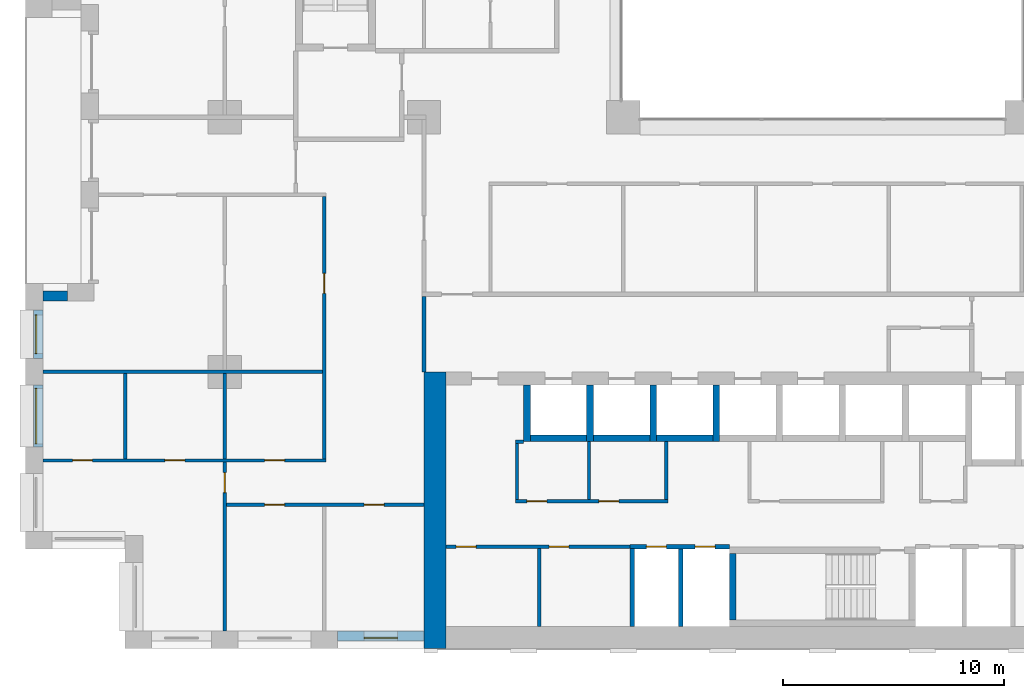
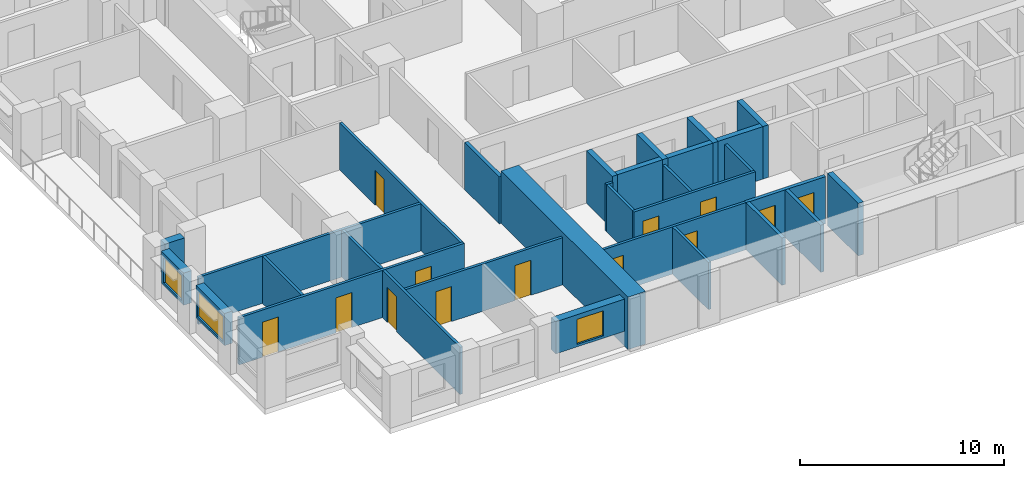
# One storey, part 9 of 19: 31 walls, 13 doors, 3 windows, 16 openings.
"""IFC4 building model written with IfcOpenShell, lengths in metres."""

from ifc_helpers import new_model, si_unit, direction, frame, frame_2d, origin, place, context, subcontext, project, spatial, rectangle, extrude, material, layer, layer_set, type_object, element, fill, save


model = new_model("IFC4")

# Units and contexts
model_context = context("Model", 3, precision=1e-05, world=origin(), true_north=direction((0.0, 1.0)))
body_context = subcontext(model_context, "Body", "Model", "MODEL_VIEW")
ifc_project = project(units=[si_unit("LENGTHUNIT", "METRE"), si_unit("AREAUNIT", "SQUARE_METRE"), si_unit("VOLUMEUNIT", "CUBIC_METRE"), si_unit("PLANEANGLEUNIT", "RADIAN"), si_unit("MASSUNIT", "GRAM", prefix="KILO")], contexts=[model_context])

# Site, building, storey
site_placement = place(None, origin())
site = spatial("IfcSite", under=ifc_project, at=site_placement, CompositionType="ELEMENT")
building_placement = place(site_placement, origin())
building = spatial("IfcBuilding", under=site, at=building_placement, Name="Brigalow Station Residences", CompositionType="ELEMENT")
storey_placement = place(building_placement, frame((0.0, 0.0, 22.64990234375)))
storey = spatial("IfcBuildingStorey", under=building, at=storey_placement, Name="L05", CompositionType="ELEMENT", Elevation=22.64990234375)

# Wall, opening, window
ifc_material_1 = material(Name="Clay brick masonry", Category="masonry")
ifc_layer_1 = layer(ifc_material_1, 0.449951171875)
ifc_layer_set_1 = layer_set([ifc_layer_1], Name="BRICK INFILL WALL 450")
wall_type_1 = type_object("IfcWallType", Name="BRICK INFILL WALL 450", PredefinedType="SOLIDWALL", material=ifc_layer_set_1)
wall_1_placement = place(storey_placement, frame((14.10009765625, 0.574951171875, 0.900146484375), z_axis=(0.0, 0.0, 1.0), x_axis=(1.0, 0.0, 0.0)))
wall_1 = element("IfcWall", 1, at=wall_1_placement, inside=storey, type_object=wall_type_1, Name="L05/ewall/W-L05-3", PredefinedType="SOLIDWALL", context=body_context, shape_type="SweptSolid", body=[
    extrude(rectangle(XDim=3.89990234375, YDim=0.449951171875, at=frame_2d((1.949951171875, 0.0))), origin(), (0.0, 0.0, 1.0), 1.929931640625),
])
opening_1_placement = place(wall_1_placement, frame((1.199951171875, 0.0, 0.14990234375)))
opening_1 = element("IfcOpeningElement", 2, at=opening_1_placement, cuts=wall_1, Name="Opening WT-1", PredefinedType="OPENING", context=body_context, shape_type="SweptSolid", body=[
    extrude(rectangle(XDim=1.5, YDim=1.5, at=frame_2d((0.75, 0.75))), frame((0.0, 0.23486328125, 0.0), z_axis=(0.0, -1.0, 0.0), x_axis=(1.0, 0.0, 0.0)), (0.0, 0.0, 1.0), 0.469970703125),
])
ifc_material_2 = material(Name="Anodised aluminium frame with double glazing", Category="aluminium")
window_type_1 = type_object("IfcWindowType", Name="WINDOW 1500x1500", PartitioningType="SINGLE_PANEL", PredefinedType="WINDOW", material=ifc_material_2)
window_1_placement = place(opening_1_placement, origin())
window_1 = element("IfcWindow", 3, at=window_1_placement, inside=storey, type_object=window_type_1, Name="L05/window/W-L05-3", OverallHeight=1.5, OverallWidth=1.5, PartitioningType="SINGLE_PANEL", PredefinedType="WINDOW", context=body_context, shape_type="SweptSolid", body=[
    extrude(rectangle(XDim=1.5, YDim=1.5, at=frame_2d((0.75, 0.75))), frame((0.0, -0.06494140625, 0.0), z_axis=(0.0, -1.0, 0.0), x_axis=(1.0, 0.0, 0.0)), (0.0, 0.0, 1.0), 0.06005859375),
])
fill(opening_1, window_1)

# Wall
wall_2_placement = place(storey_placement, frame((1.89990234375, 15.925048828125, 0.900146484375), z_axis=(0.0, 0.0, 1.0), x_axis=(-1.0, 0.0, 0.0)))
element("IfcWall", 4, at=wall_2_placement, inside=storey, type_object=wall_type_1, Name="L05/ewall/W-L05-50", PredefinedType="SOLIDWALL", context=body_context, shape_type="SweptSolid", body=[
    extrude(rectangle(XDim=1.099853515625, YDim=0.449951171875, at=frame_2d((0.5498046875, 0.0))), origin(), (0.0, 0.0, 1.0), 1.929931640625),
])

# Wall, opening, window
wall_3_placement = place(storey_placement, frame((0.574951171875, 15.300048828125, 0.900146484375), z_axis=(0.0, 0.0, 1.0), x_axis=(0.0, -1.0, 0.0)))
wall_3 = element("IfcWall", 5, at=wall_3_placement, inside=storey, type_object=wall_type_1, Name="L05/ewall/W-L05-51", PredefinedType="SOLIDWALL", context=body_context, shape_type="SweptSolid", body=[
    extrude(rectangle(XDim=2.199951171875, YDim=0.449951171875, at=frame_2d((1.10009765625, 0.0))), origin(), (0.0, 0.0, 1.0), 1.929931640625),
])
opening_2_placement = place(wall_3_placement, frame((0.22509765625, 0.0, 0.14990234375)))
opening_2 = element("IfcOpeningElement", 6, at=opening_2_placement, cuts=wall_3, Name="Opening WT-4", PredefinedType="OPENING", context=body_context, shape_type="SweptSolid", body=[
    extrude(rectangle(XDim=1.75, YDim=1.5, at=frame_2d((0.875, 0.75))), frame((0.0, 0.23486328125, 0.0), z_axis=(0.0, -1.0, 0.0), x_axis=(1.0, 0.0, 0.0)), (0.0, 0.0, 1.0), 0.469970703125),
])
ifc_material_3 = material(Name="Anodised aluminium frame with double glazing", Category="aluminium")
window_type_2 = type_object("IfcWindowType", Name="WINDOW 1750x1500", PartitioningType="SINGLE_PANEL", PredefinedType="WINDOW", material=ifc_material_3)
window_2_placement = place(opening_2_placement, origin())
window_2 = element("IfcWindow", 7, at=window_2_placement, inside=storey, type_object=window_type_2, Name="L05/window/W-L05-51", OverallHeight=1.5, OverallWidth=1.75, PartitioningType="SINGLE_PANEL", PredefinedType="WINDOW", context=body_context, shape_type="SweptSolid", body=[
    extrude(rectangle(XDim=1.75, YDim=1.5, at=frame_2d((0.875, 0.75))), frame((0.0, -0.06494140625, 0.0), z_axis=(0.0, -1.0, 0.0), x_axis=(1.0, 0.0, 0.0)), (0.0, 0.0, 1.0), 0.06005859375),
])
fill(opening_2, window_2)

wall_4_placement = place(storey_placement, frame((0.574951171875, 11.89990234375, 0.900146484375), z_axis=(0.0, 0.0, 1.0), x_axis=(0.0, -1.0, 0.0)))
wall_4 = element("IfcWall", 8, at=wall_4_placement, inside=storey, type_object=wall_type_1, Name="L05/ewall/W-L05-52", PredefinedType="SOLIDWALL", context=body_context, shape_type="SweptSolid", body=[
    extrude(rectangle(XDim=2.7998046875, YDim=0.449951171875, at=frame_2d((1.39990234375, 0.0))), origin(), (0.0, 0.0, 1.0), 1.929931640625),
])
opening_3_placement = place(wall_4_placement, frame((0.14990234375, 0.0, 0.14990234375)))
opening_3 = element("IfcOpeningElement", 9, at=opening_3_placement, cuts=wall_4, Name="Opening WT-5", PredefinedType="OPENING", context=body_context, shape_type="SweptSolid", body=[
    extrude(rectangle(XDim=2.5, YDim=1.5, at=frame_2d((1.25, 0.75))), frame((0.0, 0.23486328125, 0.0), z_axis=(0.0, -1.0, 0.0), x_axis=(1.0, 0.0, 0.0)), (0.0, 0.0, 1.0), 0.469970703125),
])
ifc_material_4 = material(Name="Anodised aluminium frame with double glazing", Category="aluminium")
window_type_3 = type_object("IfcWindowType", Name="WINDOW 2500x1500", PartitioningType="SINGLE_PANEL", PredefinedType="WINDOW", material=ifc_material_4)
window_3_placement = place(opening_3_placement, origin())
window_3 = element("IfcWindow", 10, at=window_3_placement, inside=storey, type_object=window_type_3, Name="L05/window/W-L05-52", OverallHeight=1.5, OverallWidth=2.5, PartitioningType="SINGLE_PANEL", PredefinedType="WINDOW", context=body_context, shape_type="SweptSolid", body=[
    extrude(rectangle(XDim=2.5, YDim=1.5, at=frame_2d((1.25, 0.75))), frame((0.0, -0.06494140625, 0.0), z_axis=(0.0, -1.0, 0.0), x_axis=(1.0, 0.0, 0.0)), (0.0, 0.0, 1.0), 0.06005859375),
])
fill(opening_3, window_3)

# Walls
ifc_material_5 = material(Name="Concrete C80", Category="concrete")
ifc_layer_2 = layer(ifc_material_5, 1.0)
ifc_layer_set_2 = layer_set([ifc_layer_2], Name="CORE SHEAR WALL 1000 C80")
wall_type_2 = type_object("IfcWallType", Name="CORE SHEAR WALL 1000 C80", PredefinedType="SHEAR", material=ifc_layer_set_2)
wall_5_placement = place(storey_placement, frame((18.5, 0.0, 0.0), z_axis=(0.0, 0.0, 1.0), x_axis=(0.0, 1.0, 0.0)))
element("IfcWall", 11, at=wall_5_placement, inside=storey, type_object=wall_type_2, Name="CORE WALL OUT-W L05", PredefinedType="SHEAR", context=body_context, shape_type="SweptSolid", body=[
    extrude(rectangle(XDim=12.5, YDim=1.0, at=frame_2d((6.25, 0.0))), origin(), (0.0, 0.0, 1.0), 3.150146484375),
])
ifc_material_6 = material(Name="Concrete C80", Category="concrete")
ifc_layer_3 = layer(ifc_material_6, 0.300048828125)
ifc_layer_set_3 = layer_set([ifc_layer_3], Name="CORE SHEAR WALL 300 C80")
wall_type_3 = type_object("IfcWallType", Name="CORE SHEAR WALL 300 C80", PredefinedType="SHEAR", material=ifc_layer_set_3)
wall_6_placement = place(storey_placement, frame((22.800048828125, 9.5, 0.0), z_axis=(0.0, 0.0, 1.0), x_axis=(1.0, 0.0, 0.0)))
element("IfcWall", 12, at=wall_6_placement, inside=storey, type_object=wall_type_3, Name="CORE WALL SH-P1-S L05", PredefinedType="SHEAR", context=body_context, shape_type="SweptSolid", body=[
    extrude(rectangle(XDim=2.550048828125, YDim=0.300048828125, at=frame_2d((1.27490234375, 0.0))), origin(), (0.0, 0.0, 1.0), 3.150146484375),
])
wall_7_placement = place(storey_placement, frame((22.64990234375, 9.35009765625, 0.0), z_axis=(0.0, 0.0, 1.0), x_axis=(0.0, 1.0, 0.0)))
element("IfcWall", 13, at=wall_7_placement, inside=storey, type_object=wall_type_3, Name="CORE WALL SH-P1-W L05", PredefinedType="SHEAR", context=body_context, shape_type="SweptSolid", body=[
    extrude(rectangle(XDim=2.5498046875, YDim=0.300048828125, at=frame_2d((1.27490234375, 0.0))), origin(), (0.0, 0.0, 1.0), 3.150146484375),
])
wall_8_placement = place(storey_placement, frame((25.64990234375, 9.5, 0.0), z_axis=(0.0, 0.0, 1.0), x_axis=(1.0, 0.0, 0.0)))
element("IfcWall", 14, at=wall_8_placement, inside=storey, type_object=wall_type_3, Name="CORE WALL SH-P2-S L05", PredefinedType="SHEAR", context=body_context, shape_type="SweptSolid", body=[
    extrude(rectangle(XDim=2.550048828125, YDim=0.300048828125, at=frame_2d((1.27490234375, 0.0))), origin(), (0.0, 0.0, 1.0), 3.150146484375),
])
wall_9_placement = place(storey_placement, frame((25.5, 9.35009765625, 0.0), z_axis=(0.0, 0.0, 1.0), x_axis=(0.0, 1.0, 0.0)))
element("IfcWall", 15, at=wall_9_placement, inside=storey, type_object=wall_type_3, Name="CORE WALL SH-P2-W L05", PredefinedType="SHEAR", context=body_context, shape_type="SweptSolid", body=[
    extrude(rectangle(XDim=2.5498046875, YDim=0.300048828125, at=frame_2d((1.27490234375, 0.0))), origin(), (0.0, 0.0, 1.0), 3.150146484375),
])
wall_10_placement = place(storey_placement, frame((28.5, 9.5, 0.0), z_axis=(0.0, 0.0, 1.0), x_axis=(1.0, 0.0, 0.0)))
element("IfcWall", 16, at=wall_10_placement, inside=storey, type_object=wall_type_3, Name="CORE WALL SH-P3-S L05", PredefinedType="SHEAR", context=body_context, shape_type="SweptSolid", body=[
    extrude(rectangle(XDim=2.550048828125, YDim=0.300048828125, at=frame_2d((1.27490234375, 0.0))), origin(), (0.0, 0.0, 1.0), 3.150146484375),
])
for number, where, z_axis, x_axis, name in (
    (17, (28.35009765625, 9.35009765625, 0.0), (0.0, 0.0, 1.0), (0.0, 1.0, 0.0), "CORE WALL SH-P3-W L05"),
    (18, (31.199951171875, 9.35009765625, 0.0), (0.0, 0.0, 1.0), (0.0, 1.0, 0.0), "CORE WALL SH-P4-W L05"),
):
    element("IfcWall", number, at=place(storey_placement, frame(where, z_axis=z_axis, x_axis=x_axis)), inside=storey, type_object=wall_type_3, Name=name, PredefinedType="SHEAR", context=body_context, shape_type="SweptSolid", body=[
        extrude(rectangle(XDim=2.5498046875, YDim=0.300048828125, at=frame_2d((1.27490234375, 0.0))), origin(), (0.0, 0.0, 1.0), 3.150146484375),
    ])
wall_11_placement = place(storey_placement, frame((31.949951171875, 1.300048828125, 0.0), z_axis=(0.0, 0.0, 1.0), x_axis=(0.0, 1.0, 0.0)))
element("IfcWall", 19, at=wall_11_placement, inside=storey, type_object=wall_type_3, Name="CORE WALL ST-S2-W L05", PredefinedType="SHEAR", context=body_context, shape_type="SweptSolid", body=[
    extrude(rectangle(XDim=3.0, YDim=0.300048828125, at=frame_2d((1.5, 0.0))), origin(), (0.0, 0.0, 1.0), 3.150146484375),
])

# Wall, openings, doors
ifc_material_7 = material(Name="Concrete blockwork", Category="masonry")
ifc_layer_4 = layer(ifc_material_7, 0.199951171875)
ifc_layer_set_4 = layer_set([ifc_layer_4], Name="FIRE RATED CORE PARTITION 200")
wall_type_4 = type_object("IfcWallType", Name="FIRE RATED CORE PARTITION 200", PredefinedType="PARTITIONING", material=ifc_layer_set_4)
wall_12_placement = place(storey_placement, frame((27.300048828125, 4.60009765625, 0.0), z_axis=(0.0, 0.0, 1.0), x_axis=(1.0, 0.0, 0.0)))
wall_12 = element("IfcWall", 20, at=wall_12_placement, inside=storey, type_object=wall_type_4, Name="PW-5017", PredefinedType="PARTITIONING", context=body_context, shape_type="SweptSolid", body=[
    extrude(rectangle(XDim=4.5, YDim=0.199951171875, at=frame_2d((2.25, 0.0))), origin(), (0.0, 0.0, 1.0), 2.830078125),
])
opening_4_placement = place(wall_12_placement, frame((0.75, 0.0, 0.0)))
opening_4 = element("IfcOpeningElement", 21, at=opening_4_placement, cuts=wall_12, Name="Opening D-5007", PredefinedType="OPENING", context=body_context, shape_type="SweptSolid", body=[
    extrude(rectangle(XDim=0.89990234375, YDim=2.10009765625, at=frame_2d((0.449951171875, 1.050048828125))), frame((0.0, 0.10986328125, 0.0), z_axis=(0.0, -1.0, 0.0), x_axis=(1.0, 0.0, 0.0)), (0.0, 0.0, 1.0), 0.219970703125),
])
opening_5_placement = place(wall_12_placement, frame((2.949951171875, 0.0, 0.0)))
opening_5 = element("IfcOpeningElement", 22, at=opening_5_placement, cuts=wall_12, Name="Opening D-5008", PredefinedType="OPENING", context=body_context, shape_type="SweptSolid", body=[
    extrude(rectangle(XDim=0.89990234375, YDim=2.10009765625, at=frame_2d((0.449951171875, 1.050048828125))), frame((0.0, 0.10986328125, 0.0), z_axis=(0.0, -1.0, 0.0), x_axis=(1.0, 0.0, 0.0)), (0.0, 0.0, 1.0), 0.219970703125),
])
ifc_material_8 = material(Name="Steel fire door leaf in steel frame", Category="steel")
door_type_1 = type_object("IfcDoorType", Name="RISER ACCESS DOOR 900 x 2100 FD120", OperationType="SINGLE_SWING_LEFT", PredefinedType="DOOR", material=ifc_material_8)
door_1_placement = place(opening_4_placement, frame((0.89990234375, 0.0, 0.0), z_axis=(0.0, 0.0, 1.0), x_axis=(-1.0, 0.0, 0.0)))
door_1 = element("IfcDoor", 23, at=door_1_placement, inside=storey, type_object=door_type_1, Name="D-5007", OperationType="SINGLE_SWING_RIGHT", OverallHeight=2.10009765625, OverallWidth=0.89990234375, PredefinedType="DOOR", context=body_context, shape_type="SweptSolid", body=[
    extrude(rectangle(XDim=0.89990234375, YDim=2.10009765625, at=frame_2d((0.449951171875, 1.050048828125))), frame((0.0, 0.02490234375, 0.0), z_axis=(0.0, -1.0, 0.0), x_axis=(1.0, 0.0, 0.0)), (0.0, 0.0, 1.0), 0.050048828125),
])
fill(opening_4, door_1)
door_2_placement = place(opening_5_placement, frame((0.89990234375, 0.0, 0.0), z_axis=(0.0, 0.0, 1.0), x_axis=(-1.0, 0.0, 0.0)))
door_2 = element("IfcDoor", 24, at=door_2_placement, inside=storey, type_object=door_type_1, Name="D-5008", OperationType="SINGLE_SWING_RIGHT", OverallHeight=2.10009765625, OverallWidth=0.89990234375, PredefinedType="DOOR", context=body_context, shape_type="SweptSolid", body=[
    extrude(rectangle(XDim=0.89990234375, YDim=2.10009765625, at=frame_2d((0.449951171875, 1.050048828125))), frame((0.0, 0.02490234375, 0.0), z_axis=(0.0, -1.0, 0.0), x_axis=(1.0, 0.0, 0.0)), (0.0, 0.0, 1.0), 0.050048828125),
])
fill(opening_5, door_2)

# Walls
wall_13_placement = place(storey_placement, frame((27.39990234375, 1.0, 0.0), z_axis=(0.0, 0.0, 1.0), x_axis=(0.0, 1.0, 0.0)))
element("IfcWall", 25, at=wall_13_placement, inside=storey, type_object=wall_type_4, Name="PW-5027", PredefinedType="PARTITIONING", context=body_context, shape_type="SweptSolid", body=[
    extrude(rectangle(XDim=3.52490234375, YDim=0.199951171875, at=frame_2d((1.762451171875, 0.0))), origin(), (0.0, 0.0, 1.0), 2.830078125),
])
wall_14_placement = place(storey_placement, frame((29.60009765625, 1.0, 0.0), z_axis=(0.0, 0.0, 1.0), x_axis=(0.0, 1.0, 0.0)))
element("IfcWall", 26, at=wall_14_placement, inside=storey, type_object=wall_type_4, Name="PW-5006", PredefinedType="PARTITIONING", context=body_context, shape_type="SweptSolid", body=[
    extrude(rectangle(XDim=3.5, YDim=0.199951171875, at=frame_2d((1.75, 0.0))), origin(), (0.0, 0.0, 1.0), 2.830078125),
])
wall_15_placement = place(storey_placement, frame((18.0, 12.5, 0.0), z_axis=(0.0, 0.0, 1.0), x_axis=(0.0, 1.0, 0.0)))
element("IfcWall", 27, at=wall_15_placement, inside=storey, type_object=wall_type_4, Name="PW-5013", PredefinedType="PARTITIONING", context=body_context, shape_type="SweptSolid", body=[
    extrude(rectangle(XDim=3.39990234375, YDim=0.199951171875, at=frame_2d((1.699951171875, 0.0))), origin(), (0.0, 0.0, 1.0), 2.830078125),
])

# Wall, openings, doors
ifc_material_9 = material(Name="Plasterboard on steel stud partition", Category="steel")
ifc_layer_5 = layer(ifc_material_9, 0.14990234375)
ifc_layer_set_5 = layer_set([ifc_layer_5], Name="FLAT PARTITION 150")
wall_type_5 = type_object("IfcWallType", Name="FLAT PARTITION 150", PredefinedType="PARTITIONING", material=ifc_layer_set_5)
wall_16_placement = place(storey_placement, frame((0.800048828125, 8.5, 0.0), z_axis=(0.0, 0.0, 1.0), x_axis=(1.0, 0.0, 0.0)))
wall_16 = element("IfcWall", 28, at=wall_16_placement, inside=storey, type_object=wall_type_5, Name="PW-1A09", PredefinedType="PARTITIONING", context=body_context, shape_type="SweptSolid", body=[
    extrude(rectangle(XDim=12.77490234375, YDim=0.14990234375, at=frame_2d((6.387451171875, 0.0))), origin(), (0.0, 0.0, 1.0), 2.830078125),
])
opening_6_placement = place(wall_16_placement, frame((10.0, 0.0, 0.0)))
opening_6 = element("IfcOpeningElement", 29, at=opening_6_placement, cuts=wall_16, Name="Opening D-1A05", PredefinedType="OPENING", context=body_context, shape_type="SweptSolid", body=[
    extrude(rectangle(XDim=0.89990234375, YDim=2.10009765625, at=frame_2d((0.449951171875, 1.050048828125))), frame((0.0, 0.0849609375, 0.0), z_axis=(0.0, -1.0, 0.0), x_axis=(1.0, 0.0, 0.0)), (0.0, 0.0, 1.0), 0.169921875),
])
opening_7_placement = place(wall_16_placement, frame((1.324951171875, 0.0, 0.0)))
opening_7 = element("IfcOpeningElement", 30, at=opening_7_placement, cuts=wall_16, Name="Opening D-1A07", PredefinedType="OPENING", context=body_context, shape_type="SweptSolid", body=[
    extrude(rectangle(XDim=0.89990234375, YDim=2.10009765625, at=frame_2d((0.449951171875, 1.050048828125))), frame((0.0, 0.0849609375, 0.0), z_axis=(0.0, -1.0, 0.0), x_axis=(1.0, 0.0, 0.0)), (0.0, 0.0, 1.0), 0.169921875),
])
opening_8_placement = place(wall_16_placement, frame((5.5, 0.0, 0.0)))
opening_8 = element("IfcOpeningElement", 31, at=opening_8_placement, cuts=wall_16, Name="Opening D-1A08", PredefinedType="OPENING", context=body_context, shape_type="SweptSolid", body=[
    extrude(rectangle(XDim=0.89990234375, YDim=2.10009765625, at=frame_2d((0.449951171875, 1.050048828125))), frame((0.0, 0.0849609375, 0.0), z_axis=(0.0, -1.0, 0.0), x_axis=(1.0, 0.0, 0.0)), (0.0, 0.0, 1.0), 0.169921875),
])
ifc_material_10 = material(Name="Solid-core timber door leaf", Category="wood")
door_type_2 = type_object("IfcDoorType", Name="INTERNAL DOOR 900 x 2100", OperationType="SINGLE_SWING_LEFT", PredefinedType="DOOR", material=ifc_material_10)
door_3_placement = place(opening_6_placement, origin())
door_3 = element("IfcDoor", 32, at=door_3_placement, inside=storey, type_object=door_type_2, Name="D-1A05", OperationType="SINGLE_SWING_LEFT", OverallHeight=2.10009765625, OverallWidth=0.89990234375, PredefinedType="DOOR", context=body_context, shape_type="SweptSolid", body=[
    extrude(rectangle(XDim=0.89990234375, YDim=2.10009765625, at=frame_2d((0.449951171875, 1.050048828125))), frame((0.0, 0.02490234375, 0.0), z_axis=(0.0, -1.0, 0.0), x_axis=(1.0, 0.0, 0.0)), (0.0, 0.0, 1.0), 0.050048828125),
])
fill(opening_6, door_3)
door_4_placement = place(opening_7_placement, origin())
door_4 = element("IfcDoor", 33, at=door_4_placement, inside=storey, type_object=door_type_2, Name="D-1A07", OperationType="SINGLE_SWING_LEFT", OverallHeight=2.10009765625, OverallWidth=0.89990234375, PredefinedType="DOOR", context=body_context, shape_type="SweptSolid", body=[
    extrude(rectangle(XDim=0.89990234375, YDim=2.10009765625, at=frame_2d((0.449951171875, 1.050048828125))), frame((0.0, 0.02490234375, 0.0), z_axis=(0.0, -1.0, 0.0), x_axis=(1.0, 0.0, 0.0)), (0.0, 0.0, 1.0), 0.050048828125),
])
fill(opening_7, door_4)
door_5_placement = place(opening_8_placement, origin())
door_5 = element("IfcDoor", 34, at=door_5_placement, inside=storey, type_object=door_type_2, Name="D-1A08", OperationType="SINGLE_SWING_RIGHT", OverallHeight=2.10009765625, OverallWidth=0.89990234375, PredefinedType="DOOR", context=body_context, shape_type="SweptSolid", body=[
    extrude(rectangle(XDim=0.89990234375, YDim=2.10009765625, at=frame_2d((0.449951171875, 1.050048828125))), frame((0.0, 0.02490234375, 0.0), z_axis=(0.0, -1.0, 0.0), x_axis=(1.0, 0.0, 0.0)), (0.0, 0.0, 1.0), 0.050048828125),
])
fill(opening_8, door_5)

# Wall
wall_17_placement = place(storey_placement, frame((0.800048828125, 12.5, 0.0), z_axis=(0.0, 0.0, 1.0), x_axis=(1.0, 0.0, 0.0)))
element("IfcWall", 35, at=wall_17_placement, inside=storey, type_object=wall_type_5, Name="PW-1A11", PredefinedType="PARTITIONING", context=body_context, shape_type="SweptSolid", body=[
    extrude(rectangle(XDim=12.625, YDim=0.14990234375, at=frame_2d((6.3125, 0.0))), origin(), (0.0, 0.0, 1.0), 2.830078125),
])

# Wall, openings, doors
wall_18_placement = place(storey_placement, frame((9.074951171875, 6.5, 0.0), z_axis=(0.0, 0.0, 1.0), x_axis=(1.0, 0.0, 0.0)))
wall_18 = element("IfcWall", 36, at=wall_18_placement, inside=storey, type_object=wall_type_5, Name="PW-1A13", PredefinedType="PARTITIONING", context=body_context, shape_type="SweptSolid", body=[
    extrude(rectangle(XDim=8.925048828125, YDim=0.14990234375, at=frame_2d((4.46240234375, 0.0))), origin(), (0.0, 0.0, 1.0), 2.830078125),
])
opening_9_placement = place(wall_18_placement, frame((1.72509765625, 0.0, 0.0)))
opening_9 = element("IfcOpeningElement", 37, at=opening_9_placement, cuts=wall_18, Name="Opening D-1A03", PredefinedType="OPENING", context=body_context, shape_type="SweptSolid", body=[
    extrude(rectangle(XDim=0.89990234375, YDim=2.10009765625, at=frame_2d((0.449951171875, 1.050048828125))), frame((0.0, 0.0849609375, 0.0), z_axis=(0.0, -1.0, 0.0), x_axis=(1.0, 0.0, 0.0)), (0.0, 0.0, 1.0), 0.169921875),
])
opening_10_placement = place(wall_18_placement, frame((6.22509765625, 0.0, 0.0)))
opening_10 = element("IfcOpeningElement", 38, at=opening_10_placement, cuts=wall_18, Name="Opening D-1A04", PredefinedType="OPENING", context=body_context, shape_type="SweptSolid", body=[
    extrude(rectangle(XDim=0.89990234375, YDim=2.10009765625, at=frame_2d((0.449951171875, 1.050048828125))), frame((0.0, 0.0849609375, 0.0), z_axis=(0.0, -1.0, 0.0), x_axis=(1.0, 0.0, 0.0)), (0.0, 0.0, 1.0), 0.169921875),
])
door_6_placement = place(opening_9_placement, frame((0.89990234375, 0.0, 0.0), z_axis=(0.0, 0.0, 1.0), x_axis=(-1.0, 0.0, 0.0)))
door_6 = element("IfcDoor", 39, at=door_6_placement, inside=storey, type_object=door_type_2, Name="D-1A03", OperationType="SINGLE_SWING_LEFT", OverallHeight=2.10009765625, OverallWidth=0.89990234375, PredefinedType="DOOR", context=body_context, shape_type="SweptSolid", body=[
    extrude(rectangle(XDim=0.89990234375, YDim=2.10009765625, at=frame_2d((0.449951171875, 1.050048828125))), frame((0.0, 0.02490234375, 0.0), z_axis=(0.0, -1.0, 0.0), x_axis=(1.0, 0.0, 0.0)), (0.0, 0.0, 1.0), 0.050048828125),
])
fill(opening_9, door_6)
door_7_placement = place(opening_10_placement, frame((0.89990234375, 0.0, 0.0), z_axis=(0.0, 0.0, 1.0), x_axis=(-1.0, 0.0, 0.0)))
door_7 = element("IfcDoor", 40, at=door_7_placement, inside=storey, type_object=door_type_2, Name="D-1A04", OperationType="SINGLE_SWING_RIGHT", OverallHeight=2.10009765625, OverallWidth=0.89990234375, PredefinedType="DOOR", context=body_context, shape_type="SweptSolid", body=[
    extrude(rectangle(XDim=0.89990234375, YDim=2.10009765625, at=frame_2d((0.449951171875, 1.050048828125))), frame((0.0, 0.02490234375, 0.0), z_axis=(0.0, -1.0, 0.0), x_axis=(1.0, 0.0, 0.0)), (0.0, 0.0, 1.0), 0.050048828125),
])
fill(opening_10, door_7)

# Wall, opening, door
wall_19_placement = place(storey_placement, frame((9.0, 0.800048828125, 0.0), z_axis=(0.0, 0.0, 1.0), x_axis=(0.0, 1.0, 0.0)))
wall_19 = element("IfcWall", 41, at=wall_19_placement, inside=storey, type_object=wall_type_5, Name="PW-1A46", PredefinedType="PARTITIONING", context=body_context, shape_type="SweptSolid", body=[
    extrude(rectangle(XDim=7.625, YDim=0.14990234375, at=frame_2d((3.8125, 0.0))), origin(), (0.0, 0.0, 1.0), 2.830078125),
])
opening_11_placement = place(wall_19_placement, frame((6.25, 0.0, 0.0)))
opening_11 = element("IfcOpeningElement", 42, at=opening_11_placement, cuts=wall_19, Name="Opening D-1A06", PredefinedType="OPENING", context=body_context, shape_type="SweptSolid", body=[
    extrude(rectangle(XDim=0.89990234375, YDim=2.10009765625, at=frame_2d((0.449951171875, 1.050048828125))), frame((0.0, 0.0849609375, 0.0), z_axis=(0.0, -1.0, 0.0), x_axis=(1.0, 0.0, 0.0)), (0.0, 0.0, 1.0), 0.169921875),
])
door_8_placement = place(opening_11_placement, origin())
door_8 = element("IfcDoor", 43, at=door_8_placement, inside=storey, type_object=door_type_2, Name="D-1A06", OperationType="SINGLE_SWING_RIGHT", OverallHeight=2.10009765625, OverallWidth=0.89990234375, PredefinedType="DOOR", context=body_context, shape_type="SweptSolid", body=[
    extrude(rectangle(XDim=0.89990234375, YDim=2.10009765625, at=frame_2d((0.449951171875, 1.050048828125))), frame((0.0, 0.02490234375, 0.0), z_axis=(0.0, -1.0, 0.0), x_axis=(1.0, 0.0, 0.0)), (0.0, 0.0, 1.0), 0.050048828125),
])
fill(opening_11, door_8)

# Walls
for number, where, z_axis, x_axis, name in (
    (44, (9.0, 8.574951171875, 0.0), (0.0, 0.0, 1.0), (0.0, 1.0, 0.0), "PW-1A47"),
    (45, (4.5, 8.574951171875, 0.0), (0.0, 0.0, 1.0), (0.0, 1.0, 0.0), "PW-1A51"),
):
    element("IfcWall", number, at=place(storey_placement, frame(where, z_axis=z_axis, x_axis=x_axis)), inside=storey, type_object=wall_type_5, Name=name, PredefinedType="PARTITIONING", context=body_context, shape_type="SweptSolid", body=[
        extrude(rectangle(XDim=3.85009765625, YDim=0.14990234375, at=frame_2d((1.925048828125, 0.0))), origin(), (0.0, 0.0, 1.0), 2.830078125),
    ])

# Wall, opening, door
wall_20_placement = place(storey_placement, frame((13.5, 8.574951171875, 0.0), z_axis=(0.0, 0.0, 1.0), x_axis=(0.0, 1.0, 0.0)))
wall_20 = element("IfcWall", 46, at=wall_20_placement, inside=storey, type_object=wall_type_5, Name="PW-1A54", PredefinedType="PARTITIONING", context=body_context, shape_type="SweptSolid", body=[
    extrude(rectangle(XDim=11.85009765625, YDim=0.14990234375, at=frame_2d((5.925048828125, 0.0))), origin(), (0.0, 0.0, 1.0), 2.830078125),
])
opening_12_placement = place(wall_20_placement, frame((7.47509765625, 0.0, 0.0)))
opening_12 = element("IfcOpeningElement", 47, at=opening_12_placement, cuts=wall_20, Name="Opening D-1A09", PredefinedType="OPENING", context=body_context, shape_type="SweptSolid", body=[
    extrude(rectangle(XDim=0.89990234375, YDim=2.10009765625, at=frame_2d((0.449951171875, 1.050048828125))), frame((0.0, 0.0849609375, 0.0), z_axis=(0.0, -1.0, 0.0), x_axis=(1.0, 0.0, 0.0)), (0.0, 0.0, 1.0), 0.169921875),
])
door_9_placement = place(opening_12_placement, origin())
door_9 = element("IfcDoor", 48, at=door_9_placement, inside=storey, type_object=door_type_2, Name="D-1A09", OperationType="SINGLE_SWING_RIGHT", OverallHeight=2.10009765625, OverallWidth=0.89990234375, PredefinedType="DOOR", context=body_context, shape_type="SweptSolid", body=[
    extrude(rectangle(XDim=0.89990234375, YDim=2.10009765625, at=frame_2d((0.449951171875, 1.050048828125))), frame((0.0, 0.02490234375, 0.0), z_axis=(0.0, -1.0, 0.0), x_axis=(1.0, 0.0, 0.0)), (0.0, 0.0, 1.0), 0.050048828125),
])
fill(opening_12, door_9)

# Wall, openings, doors
ifc_material_11 = material(Name="Plasterboard on steel studs", Category="steel")
ifc_layer_6 = layer(ifc_material_11, 0.14990234375)
ifc_layer_set_6 = layer_set([ifc_layer_6], Name="SERVICE ROOM PARTITION 150")
wall_type_6 = type_object("IfcWallType", Name="SERVICE ROOM PARTITION 150", PredefinedType="PARTITIONING", material=ifc_layer_set_6)
wall_21_placement = place(storey_placement, frame((19.0, 4.60009765625, 0.0), z_axis=(0.0, 0.0, 1.0), x_axis=(1.0, 0.0, 0.0)))
wall_21 = element("IfcWall", 49, at=wall_21_placement, inside=storey, type_object=wall_type_6, Name="PW-5019", PredefinedType="PARTITIONING", context=body_context, shape_type="SweptSolid", body=[
    extrude(rectangle(XDim=8.300048828125, YDim=0.14990234375, at=frame_2d((4.14990234375, 0.0))), origin(), (0.0, 0.0, 1.0), 2.830078125),
])
opening_13_placement = place(wall_21_placement, frame((0.449951171875, 0.0, 0.0)))
opening_13 = element("IfcOpeningElement", 50, at=opening_13_placement, cuts=wall_21, Name="Opening D-5025", PredefinedType="OPENING", context=body_context, shape_type="SweptSolid", body=[
    extrude(rectangle(XDim=0.89990234375, YDim=2.10009765625, at=frame_2d((0.449951171875, 1.050048828125))), frame((0.0, 0.0849609375, 0.0), z_axis=(0.0, -1.0, 0.0), x_axis=(1.0, 0.0, 0.0)), (0.0, 0.0, 1.0), 0.169921875),
])
opening_14_placement = place(wall_21_placement, frame((4.64990234375, 0.0, 0.0)))
opening_14 = element("IfcOpeningElement", 51, at=opening_14_placement, cuts=wall_21, Name="Opening D-5074", PredefinedType="OPENING", context=body_context, shape_type="SweptSolid", body=[
    extrude(rectangle(XDim=0.89990234375, YDim=2.10009765625, at=frame_2d((0.449951171875, 1.050048828125))), frame((0.0, 0.0849609375, 0.0), z_axis=(0.0, -1.0, 0.0), x_axis=(1.0, 0.0, 0.0)), (0.0, 0.0, 1.0), 0.169921875),
])
ifc_material_12 = material(Name="Steel door leaf in steel frame", Category="steel")
door_type_3 = type_object("IfcDoorType", Name="SERVICE ROOM DOOR 900 x 2100 FD60", OperationType="SINGLE_SWING_LEFT", PredefinedType="DOOR", material=ifc_material_12)
door_10_placement = place(opening_13_placement, frame((0.89990234375, 0.0, 0.0), z_axis=(0.0, 0.0, 1.0), x_axis=(-1.0, 0.0, 0.0)))
door_10 = element("IfcDoor", 52, at=door_10_placement, inside=storey, type_object=door_type_3, Name="D-5025", OperationType="SINGLE_SWING_RIGHT", OverallHeight=2.10009765625, OverallWidth=0.89990234375, PredefinedType="DOOR", context=body_context, shape_type="SweptSolid", body=[
    extrude(rectangle(XDim=0.89990234375, YDim=2.10009765625, at=frame_2d((0.449951171875, 1.050048828125))), frame((0.0, 0.02490234375, 0.0), z_axis=(0.0, -1.0, 0.0), x_axis=(1.0, 0.0, 0.0)), (0.0, 0.0, 1.0), 0.050048828125),
])
fill(opening_13, door_10)
door_11_placement = place(opening_14_placement, frame((0.89990234375, 0.0, 0.0), z_axis=(0.0, 0.0, 1.0), x_axis=(-1.0, 0.0, 0.0)))
door_11 = element("IfcDoor", 53, at=door_11_placement, inside=storey, type_object=door_type_3, Name="D-5074", OperationType="SINGLE_SWING_RIGHT", OverallHeight=2.10009765625, OverallWidth=0.89990234375, PredefinedType="DOOR", context=body_context, shape_type="SweptSolid", body=[
    extrude(rectangle(XDim=0.89990234375, YDim=2.10009765625, at=frame_2d((0.449951171875, 1.050048828125))), frame((0.0, 0.02490234375, 0.0), z_axis=(0.0, -1.0, 0.0), x_axis=(1.0, 0.0, 0.0)), (0.0, 0.0, 1.0), 0.050048828125),
])
fill(opening_14, door_11)

wall_22_placement = place(storey_placement, frame((22.125, 6.64990234375, 0.0), z_axis=(0.0, 0.0, 1.0), x_axis=(1.0, 0.0, 0.0)))
wall_22 = element("IfcWall", 54, at=wall_22_placement, inside=storey, type_object=wall_type_6, Name="PW-5126", PredefinedType="PARTITIONING", context=body_context, shape_type="SweptSolid", body=[
    extrude(rectangle(XDim=6.89990234375, YDim=0.14990234375, at=frame_2d((3.449951171875, 0.0))), origin(), (0.0, 0.0, 1.0), 2.830078125),
])
opening_15_placement = place(wall_22_placement, frame((0.52490234375, 0.0, 0.0)))
opening_15 = element("IfcOpeningElement", 55, at=opening_15_placement, cuts=wall_22, Name="Opening D-5021", PredefinedType="OPENING", context=body_context, shape_type="SweptSolid", body=[
    extrude(rectangle(XDim=0.89990234375, YDim=2.10009765625, at=frame_2d((0.449951171875, 1.050048828125))), frame((0.0, 0.0849609375, 0.0), z_axis=(0.0, -1.0, 0.0), x_axis=(1.0, 0.0, 0.0)), (0.0, 0.0, 1.0), 0.169921875),
])
opening_16_placement = place(wall_22_placement, frame((3.77490234375, 0.0, 0.0)))
opening_16 = element("IfcOpeningElement", 56, at=opening_16_placement, cuts=wall_22, Name="Opening D-5072", PredefinedType="OPENING", context=body_context, shape_type="SweptSolid", body=[
    extrude(rectangle(XDim=0.89990234375, YDim=2.10009765625, at=frame_2d((0.449951171875, 1.050048828125))), frame((0.0, 0.0849609375, 0.0), z_axis=(0.0, -1.0, 0.0), x_axis=(1.0, 0.0, 0.0)), (0.0, 0.0, 1.0), 0.169921875),
])
door_12_placement = place(opening_15_placement, origin())
door_12 = element("IfcDoor", 57, at=door_12_placement, inside=storey, type_object=door_type_3, Name="D-5021", OperationType="SINGLE_SWING_LEFT", OverallHeight=2.10009765625, OverallWidth=0.89990234375, PredefinedType="DOOR", context=body_context, shape_type="SweptSolid", body=[
    extrude(rectangle(XDim=0.89990234375, YDim=2.10009765625, at=frame_2d((0.449951171875, 1.050048828125))), frame((0.0, 0.02490234375, 0.0), z_axis=(0.0, -1.0, 0.0), x_axis=(1.0, 0.0, 0.0)), (0.0, 0.0, 1.0), 0.050048828125),
])
fill(opening_15, door_12)
door_13_placement = place(opening_16_placement, origin())
door_13 = element("IfcDoor", 58, at=door_13_placement, inside=storey, type_object=door_type_3, Name="D-5072", OperationType="SINGLE_SWING_LEFT", OverallHeight=2.10009765625, OverallWidth=0.89990234375, PredefinedType="DOOR", context=body_context, shape_type="SweptSolid", body=[
    extrude(rectangle(XDim=0.89990234375, YDim=2.10009765625, at=frame_2d((0.449951171875, 1.050048828125))), frame((0.0, 0.02490234375, 0.0), z_axis=(0.0, -1.0, 0.0), x_axis=(1.0, 0.0, 0.0)), (0.0, 0.0, 1.0), 0.050048828125),
])
fill(opening_16, door_13)

# Walls
wall_23_placement = place(storey_placement, frame((22.125, 9.35009765625, 0.0), z_axis=(0.0, 0.0, 1.0), x_axis=(1.0, 0.0, 0.0)))
element("IfcWall", 59, at=wall_23_placement, inside=storey, type_object=wall_type_6, Name="PW-5022", PredefinedType="PARTITIONING", context=body_context, shape_type="SweptSolid", body=[
    extrude(rectangle(XDim=0.375, YDim=0.14990234375, at=frame_2d((0.1875, 0.0))), origin(), (0.0, 0.0, 1.0), 2.830078125),
])
wall_24_placement = place(storey_placement, frame((23.199951171875, 1.0, 0.0), z_axis=(0.0, 0.0, 1.0), x_axis=(0.0, 1.0, 0.0)))
element("IfcWall", 60, at=wall_24_placement, inside=storey, type_object=wall_type_6, Name="PW-5130", PredefinedType="PARTITIONING", context=body_context, shape_type="SweptSolid", body=[
    extrude(rectangle(XDim=3.52490234375, YDim=0.14990234375, at=frame_2d((1.762451171875, 0.0))), origin(), (0.0, 0.0, 1.0), 2.830078125),
])
wall_25_placement = place(storey_placement, frame((22.199951171875, 6.72509765625, 0.0), z_axis=(0.0, 0.0, 1.0), x_axis=(0.0, 1.0, 0.0)))
element("IfcWall", 61, at=wall_25_placement, inside=storey, type_object=wall_type_6, Name="PW-5030", PredefinedType="PARTITIONING", context=body_context, shape_type="SweptSolid", body=[
    extrude(rectangle(XDim=2.5498046875, YDim=0.14990234375, at=frame_2d((1.27490234375, 0.0))), origin(), (0.0, 0.0, 1.0), 2.830078125),
])
for number, where, z_axis, x_axis, name in (
    (62, (25.449951171875, 6.72509765625, 0.0), (0.0, 0.0, 1.0), (0.0, 1.0, 0.0), "PW-5133"),
    (63, (28.949951171875, 6.72509765625, 0.0), (0.0, 0.0, 1.0), (0.0, 1.0, 0.0), "PW-5134"),
):
    element("IfcWall", number, at=place(storey_placement, frame(where, z_axis=z_axis, x_axis=x_axis)), inside=storey, type_object=wall_type_6, Name=name, PredefinedType="PARTITIONING", context=body_context, shape_type="SweptSolid", body=[
        extrude(rectangle(XDim=2.625, YDim=0.14990234375, at=frame_2d((1.3125, 0.0))), origin(), (0.0, 0.0, 1.0), 2.830078125),
    ])

save(model, "model.ifc")
